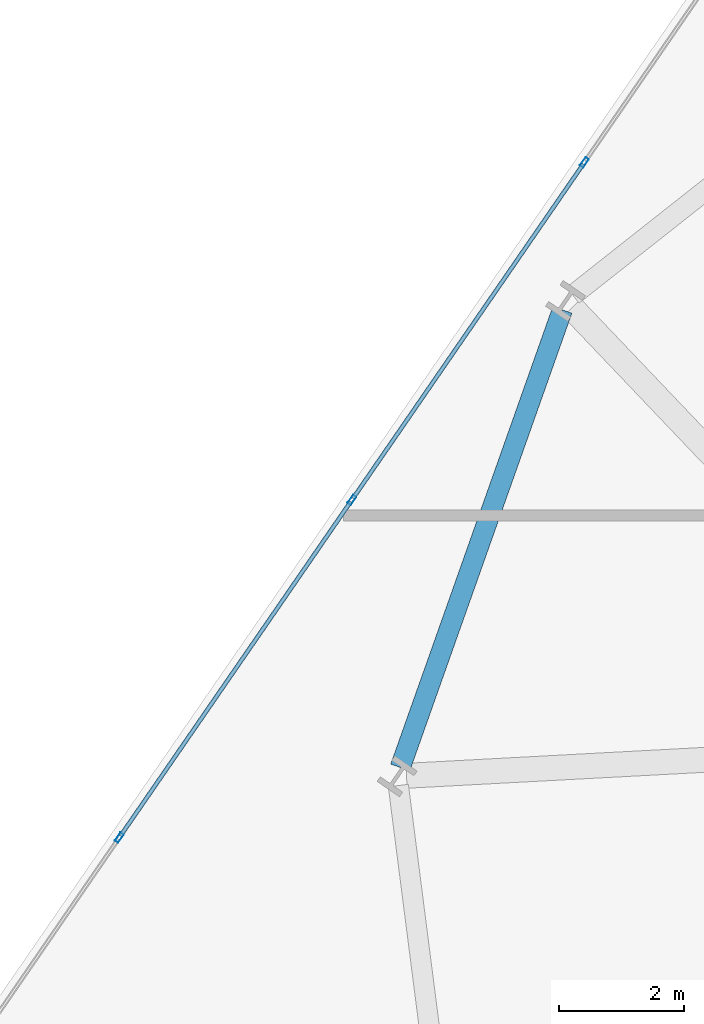
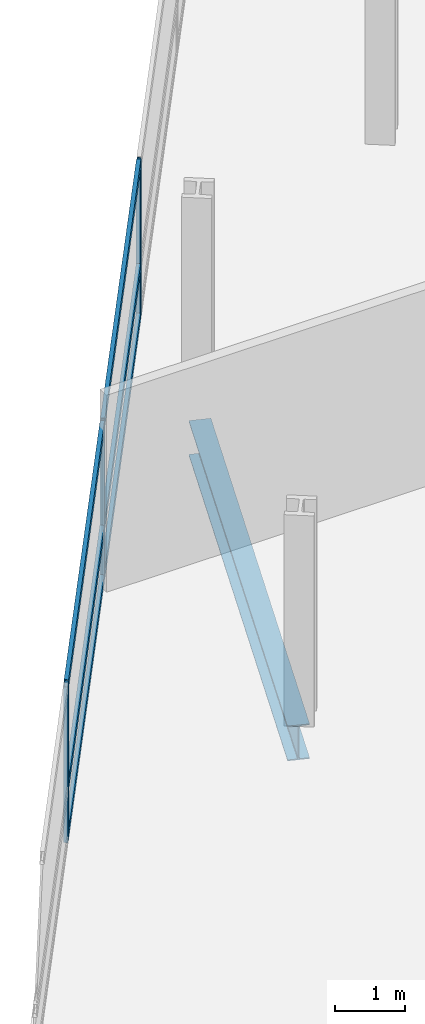
# One storey, part 6 of 27: 9 members, 1 beam, 1 element without a shape of its own.
"""IFC4 building model written with IfcOpenShell, lengths in metres."""

from ifc_helpers import new_model, si_unit, direction, frame, origin, origin_2d, place, context, subcontext, project, spatial, hollow_rectangle, i_section, extrude, material, layer, layer_set, material_profile, profile_set, type_object, element, aggregate, save


model = new_model("IFC4")

# Units and contexts
model_context = context("Model", 3, precision=1e-05, world=origin(), true_north=direction((0.0, 1.0)))
body_context = subcontext(model_context, "Body", "Model", "MODEL_VIEW")
ifc_project = project(units=[si_unit("LENGTHUNIT", "METRE"), si_unit("AREAUNIT", "SQUARE_METRE"), si_unit("VOLUMEUNIT", "CUBIC_METRE"), si_unit("PLANEANGLEUNIT", "RADIAN"), si_unit("MASSUNIT", "GRAM", prefix="KILO")], contexts=[model_context])

# Site, building, storey
site_placement = place(None, origin())
site = spatial("IfcSite", under=ifc_project, at=site_placement, CompositionType="ELEMENT")
building_placement = place(site_placement, origin())
building = spatial("IfcBuilding", under=site, at=building_placement, Name="Varnelok Gate Tower", CompositionType="ELEMENT")
storey_placement = place(building_placement, frame((0.0, 0.0, 60.300048828125)))
storey = spatial("IfcBuildingStorey", under=building, at=storey_placement, Name="L14", CompositionType="ELEMENT", Elevation=60.300048828125)

# Beam
ifc_material_1 = material(Name="Structural Steel ASTM A992 Grade 50", Category="steel")
ifc_material_profile_1 = material_profile(ifc_material_1, i_section(OverallWidth=0.323974609375, OverallDepth=0.611083984375, WebThickness=0.0126953125, FlangeThickness=0.01904296875, FilletRadius=0.01806640625, at=origin_2d()), Name="W24X104")
ifc_profile_set_1 = profile_set([ifc_material_profile_1], Name="Structural Steel ASTM A992 Grade 50")
beam_type = type_object("IfcBeamType", Name="BM-SPN-W24X104", PredefinedType="SPANDREL", material=ifc_profile_set_1)
beam_placement = place(storey_placement, frame((6.679931640625, 45.09619140625, -0.5556640625), z_axis=(-0.333877359029, -0.942616522838, 0.0), x_axis=(0.942616522838, -0.333877359029, 0.0)))
element("IfcBeam", 1, at=beam_placement, inside=storey, type_object=beam_type, Name="L14 Perimeter Spandrel Beam 15", PredefinedType="SPANDREL", context=body_context, shape_type="SweptSolid", body=[
    extrude(i_section(OverallWidth=0.323974609375, OverallDepth=0.611083984375, WebThickness=0.0126953125, FlangeThickness=0.01904296875, FilletRadius=0.01806640625, at=origin_2d()), origin(), (0.0, 0.0, 1.0), 7.77734375),
])

# Curtain wall, members
ifc_material_2 = material(Name="Anodized Aluminum Alloy 6063-T6", Category="aluminium")
ifc_layer = layer(ifc_material_2, 0.179931640625)
ifc_layer_set = layer_set([ifc_layer], Name="Anodized Aluminum Alloy 6063-T6")
curtain_wall_type = type_object("IfcCurtainWallType", Name="CW3-HOTEL-VISION", PredefinedType="USERDEFINED", material=ifc_layer_set)
curtain_wall_placement = place(storey_placement, origin())
curtain_wall = element("IfcCurtainWall", 2, at=curtain_wall_placement, inside=storey, type_object=curtain_wall_type, Name="L14 West End Vision Curtain Wall", ObjectType="UNITISED CURTAIN WALL", PredefinedType="USERDEFINED")
ifc_material_profile_2 = material_profile(ifc_material_2, hollow_rectangle(XDim=0.06494140625, YDim=0.159912109375, WallThickness=0.00390625, at=origin_2d()), Name="ALU160X65X4")
ifc_profile_set_2 = profile_set([ifc_material_profile_2], Name="Anodized Aluminum Alloy 6063-T6")
member_type_1 = type_object("IfcMemberType", Name="CW-MULL-160", PredefinedType="MULLION", material=ifc_profile_set_2)
member_1_placement = place(storey_placement, frame((-0.417236328125, 36.641845703125, 0.0), z_axis=(0.0, 0.0, 1.0), x_axis=(-0.823532685111, 0.567268822124, 0.0)))
member_1 = element("IfcMember", 3, at=member_1_placement, type_object=member_type_1, Name="CW3 mullion 2", PredefinedType="MULLION", context=body_context, shape_type="SweptSolid", body=[
    extrude(hollow_rectangle(XDim=0.06494140625, YDim=0.159912109375, WallThickness=0.00390625, at=origin_2d()), origin(), (0.0, 0.0, 1.0), 2.72998046875),
])
member_2_placement = place(storey_placement, frame((3.3076171875, 42.049560546875, 0.0), z_axis=(0.0, 0.0, 1.0), x_axis=(-0.823532685111, 0.567268822124, 0.0)))
member_2 = element("IfcMember", 4, at=member_2_placement, type_object=member_type_1, Name="CW3 mullion 3", PredefinedType="MULLION", context=body_context, shape_type="SweptSolid", body=[
    extrude(hollow_rectangle(XDim=0.06494140625, YDim=0.159912109375, WallThickness=0.00390625, at=origin_2d()), origin(), (0.0, 0.0, 1.0), 2.72998046875),
])
member_3_placement = place(storey_placement, frame((7.03271484375, 47.45751953125, 0.0), z_axis=(0.0, 0.0, 1.0), x_axis=(-0.823532685111, 0.567268822124, 0.0)))
member_3 = element("IfcMember", 5, at=member_3_placement, type_object=member_type_1, Name="CW3 mullion 4", PredefinedType="MULLION", context=body_context, shape_type="SweptSolid", body=[
    extrude(hollow_rectangle(XDim=0.06494140625, YDim=0.159912109375, WallThickness=0.00390625, at=origin_2d()), origin(), (0.0, 0.0, 1.0), 2.72998046875),
])
ifc_material_profile_3 = material_profile(ifc_material_2, hollow_rectangle(XDim=0.06494140625, YDim=0.159912109375, WallThickness=0.00390625, at=origin_2d()), Name="ALU160X65X4")
ifc_profile_set_3 = profile_set([ifc_material_profile_3], Name="Anodized Aluminum Alloy 6063-T6")
member_type_2 = type_object("IfcMemberType", Name="CW-TRAN-160", PredefinedType="USERDEFINED", material=ifc_profile_set_3)
member_4_placement = place(storey_placement, frame((-0.39892578125, 36.66845703125, 0.032470703125), z_axis=(0.567261662339, 0.823537616894, 0.0), x_axis=(-0.823537616894, 0.567261662339, 0.0)))
member_4 = element("IfcMember", 6, at=member_4_placement, type_object=member_type_2, Name="CW3 transom 2.1", ObjectType="TRANSOM", PredefinedType="USERDEFINED", context=body_context, shape_type="SweptSolid", body=[
    extrude(hollow_rectangle(XDim=0.06494140625, YDim=0.159912109375, WallThickness=0.00390625, at=origin_2d()), origin(), (0.0, 0.0, 1.0), 6.501708984375),
])
member_5_placement = place(storey_placement, frame((-0.39892578125, 36.66845703125, 0.89990234375), z_axis=(0.567261662339, 0.823537616894, 0.0), x_axis=(-0.823537616894, 0.567261662339, 0.0)))
member_5 = element("IfcMember", 7, at=member_5_placement, type_object=member_type_2, Name="CW3 transom 2.2", ObjectType="TRANSOM", PredefinedType="USERDEFINED", context=body_context, shape_type="SweptSolid", body=[
    extrude(hollow_rectangle(XDim=0.06494140625, YDim=0.159912109375, WallThickness=0.00390625, at=origin_2d()), origin(), (0.0, 0.0, 1.0), 6.501708984375),
])
member_6_placement = place(storey_placement, frame((-0.39892578125, 36.66845703125, 2.697509765625), z_axis=(0.567261662339, 0.823537616894, 0.0), x_axis=(-0.823537616894, 0.567261662339, 0.0)))
member_6 = element("IfcMember", 8, at=member_6_placement, type_object=member_type_2, Name="CW3 transom 2.3", ObjectType="TRANSOM", PredefinedType="USERDEFINED", context=body_context, shape_type="SweptSolid", body=[
    extrude(hollow_rectangle(XDim=0.06494140625, YDim=0.159912109375, WallThickness=0.00390625, at=origin_2d()), origin(), (0.0, 0.0, 1.0), 6.501708984375),
])
member_7_placement = place(storey_placement, frame((3.326171875, 42.076416015625, 0.032470703125), z_axis=(0.567279204469, 0.823525533409, 0.0), x_axis=(-0.823525533409, 0.567279204469, 0.0)))
member_7 = element("IfcMember", 9, at=member_7_placement, type_object=member_type_2, Name="CW3 transom 3.1", ObjectType="TRANSOM", PredefinedType="USERDEFINED", context=body_context, shape_type="SweptSolid", body=[
    extrude(hollow_rectangle(XDim=0.06494140625, YDim=0.159912109375, WallThickness=0.00390625, at=origin_2d()), origin(), (0.0, 0.0, 1.0), 6.501708984375),
])
member_8_placement = place(storey_placement, frame((3.326171875, 42.076416015625, 0.89990234375), z_axis=(0.567279204469, 0.823525533409, 0.0), x_axis=(-0.823525533409, 0.567279204469, 0.0)))
member_8 = element("IfcMember", 10, at=member_8_placement, type_object=member_type_2, Name="CW3 transom 3.2", ObjectType="TRANSOM", PredefinedType="USERDEFINED", context=body_context, shape_type="SweptSolid", body=[
    extrude(hollow_rectangle(XDim=0.06494140625, YDim=0.159912109375, WallThickness=0.00390625, at=origin_2d()), origin(), (0.0, 0.0, 1.0), 6.501708984375),
])
member_9_placement = place(storey_placement, frame((3.326171875, 42.076416015625, 2.697509765625), z_axis=(0.567279204469, 0.823525533409, 0.0), x_axis=(-0.823525533409, 0.567279204469, 0.0)))
member_9 = element("IfcMember", 11, at=member_9_placement, type_object=member_type_2, Name="CW3 transom 3.3", ObjectType="TRANSOM", PredefinedType="USERDEFINED", context=body_context, shape_type="SweptSolid", body=[
    extrude(hollow_rectangle(XDim=0.06494140625, YDim=0.159912109375, WallThickness=0.00390625, at=origin_2d()), origin(), (0.0, 0.0, 1.0), 6.501708984375),
])
aggregate(curtain_wall, [member_1, member_2, member_3, member_4, member_5, member_6, member_7, member_8, member_9])

save(model, "model.ifc")
